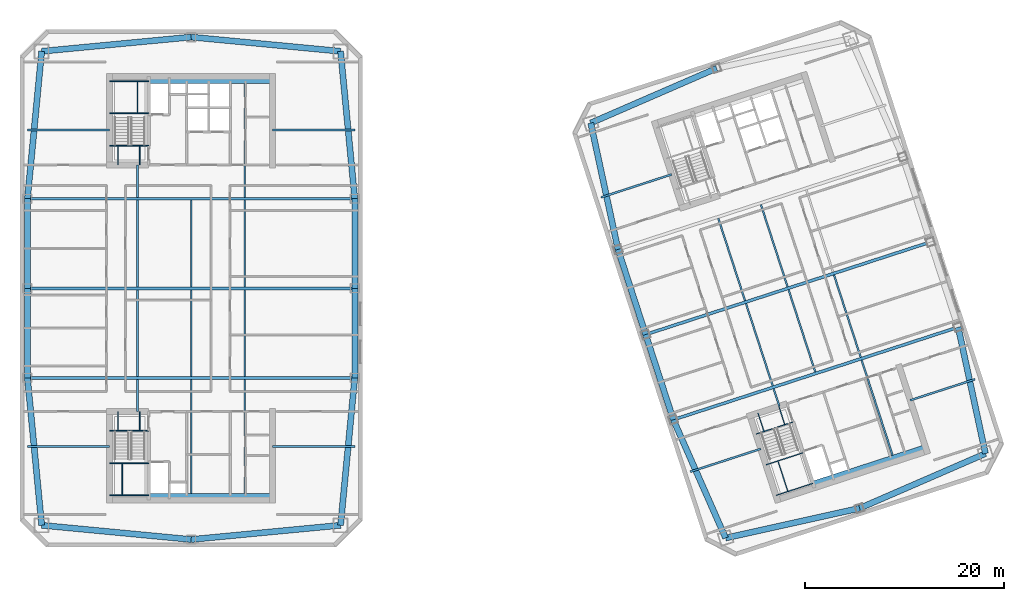
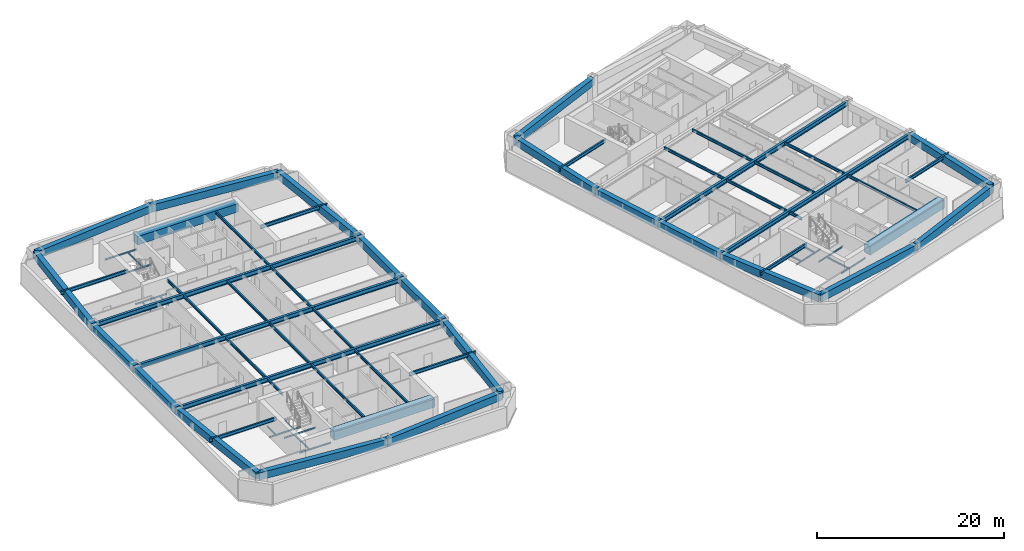
# One storey, part 3 of 13: 71 beams.
"""IFC4 building model written with IfcOpenShell, lengths in metres."""

from ifc_helpers import new_model, si_unit, direction, frame, origin, origin_2d, place, context, subcontext, project, spatial, rectangle, i_section, extrude, material, material_profile, profile_set, type_object, element, save


model = new_model("IFC4")

# Units and contexts
model_context = context("Model", 3, precision=1e-05, world=origin(), true_north=direction((0.0, 1.0)))
body_context = subcontext(model_context, "Body", "Model", "MODEL_VIEW")
ifc_project = project(units=[si_unit("LENGTHUNIT", "METRE"), si_unit("AREAUNIT", "SQUARE_METRE"), si_unit("VOLUMEUNIT", "CUBIC_METRE"), si_unit("PLANEANGLEUNIT", "RADIAN"), si_unit("MASSUNIT", "GRAM", prefix="KILO")], contexts=[model_context])

# Site, building, storey
site_placement = place(None, origin())
site = spatial("IfcSite", under=ifc_project, at=site_placement, CompositionType="ELEMENT")
building_placement = place(site_placement, origin())
building = spatial("IfcBuilding", under=site, at=building_placement, Name="Qiaolan Cultural Towers", CompositionType="ELEMENT")
storey_placement = place(building_placement, frame((0.0, 0.0, 170.199951171875)))
storey = spatial("IfcBuildingStorey", under=building, at=storey_placement, Name="L45", CompositionType="ELEMENT", Elevation=170.199951171875)

# Beams
ifc_material_1 = material(Name="Steel Q355B", Category="steel")
ifc_material_profile_1 = material_profile(ifc_material_1, i_section(OverallWidth=0.300048828125, OverallDepth=0.587890625, WebThickness=0.011962890625, FlangeThickness=0.02001953125, at=origin_2d()), Name="HM588x300x12x20")
ifc_profile_set_1 = profile_set([ifc_material_profile_1], Name="Steel Q355B")
beam_type_1 = type_object("IfcBeamType", Name="BM-HM588x300x12x20", PredefinedType="BEAM", material=ifc_profile_set_1)
for number, where, z_axis, x_axis, name in (
    (1, (13.550048828125, 25.0, 2.89599609375), (1.0, 0.0, 0.0), (0.0, 1.0, 0.0), "L45 T1 Primary Transverse Girder V1"),
    (2, (13.550048828125, 34.0, 2.89599609375), (1.0, 0.0, 0.0), (0.0, 1.0, 0.0), "L45 T1 Primary Transverse Girder V2"),
    (3, (13.550048828125, 43.0, 2.89599609375), (1.0, 0.0, 0.0), (0.0, 1.0, 0.0), "L45 T1 Primary Transverse Girder V3"),
):
    element("IfcBeam", number, at=place(storey_placement, frame(where, z_axis=z_axis, x_axis=x_axis)), inside=storey, type_object=beam_type_1, Name=name, PredefinedType="BEAM", context=body_context, shape_type="SweptSolid", body=[
        extrude(i_section(OverallWidth=0.300048828125, OverallDepth=0.587890625, WebThickness=0.011962890625, FlangeThickness=0.02001953125, at=origin_2d()), origin(), (0.0, 0.0, 1.0), 32.89990234375),
    ])
beam_1_placement = place(storey_placement, frame((78.4677734375, 20.789794921875, 2.89599609375), z_axis=(0.951055226628, 0.309020963535, 0.0), x_axis=(-0.309020963535, 0.951055226628, 0.0)))
element("IfcBeam", 4, at=beam_1_placement, inside=storey, type_object=beam_type_1, Name="L45 T2 Primary Transverse Girder V1", PredefinedType="BEAM", context=body_context, shape_type="SweptSolid", body=[
    extrude(i_section(OverallWidth=0.300048828125, OverallDepth=0.587890625, WebThickness=0.011962890625, FlangeThickness=0.02001953125, at=origin_2d()), origin(), (0.0, 0.0, 1.0), 30.099853515625),
])
beam_2_placement = place(storey_placement, frame((75.6865234375, 29.349365234375, 2.89599609375), z_axis=(0.951058384903, 0.309011243331, 0.0), x_axis=(-0.309011243331, 0.951058384903, 0.0)))
element("IfcBeam", 5, at=beam_2_placement, inside=storey, type_object=beam_type_1, Name="L45 T2 Primary Transverse Girder V2", PredefinedType="BEAM", context=body_context, shape_type="SweptSolid", body=[
    extrude(i_section(OverallWidth=0.300048828125, OverallDepth=0.587890625, WebThickness=0.011962890625, FlangeThickness=0.02001953125, at=origin_2d()), origin(), (0.0, 0.0, 1.0), 30.10009765625),
])
ifc_material_2 = material(Name="Steel Q355B", Category="steel")
ifc_material_profile_2 = material_profile(ifc_material_2, i_section(OverallWidth=0.175048828125, OverallDepth=0.35009765625, WebThickness=0.007080078125, FlangeThickness=0.010986328125, at=origin_2d()), Name="HN350x175x7x11")
ifc_profile_set_2 = profile_set([ifc_material_profile_2], Name="Steel Q355B")
beam_type_2 = type_object("IfcBeamType", Name="BM-JST-HN350x175x7x11", PredefinedType="JOIST", material=ifc_profile_set_2)
beam_3_placement = place(storey_placement, frame((24.60009765625, 21.60009765625, 3.01513671875), z_axis=(0.0, 1.0, 0.0), x_axis=(-1.0, 0.0, 0.0)))
element("IfcBeam", 6, at=beam_3_placement, inside=storey, type_object=beam_type_2, Name="L45 T1 Secondary Floor Joist U1-1", PredefinedType="JOIST", context=body_context, shape_type="SweptSolid", body=[
    extrude(i_section(OverallWidth=0.175048828125, OverallDepth=0.35009765625, WebThickness=0.007080078125, FlangeThickness=0.010986328125, at=origin_2d()), origin(), (0.0, 0.0, 1.0), 3.25),
])
for number, where, z_axis, x_axis, name in (
    (7, (24.60009765625, 25.14990234375, 3.01513671875), (0.0, 1.0, 0.0), (-1.0, 0.0, 0.0), "L45 T1 Secondary Floor Joist U1-2"),
    (8, (24.60009765625, 34.14990234375, 3.01513671875), (0.0, 1.0, 0.0), (-1.0, 0.0, 0.0), "L45 T1 Secondary Floor Joist U1-3"),
):
    element("IfcBeam", number, at=place(storey_placement, frame(where, z_axis=z_axis, x_axis=x_axis)), inside=storey, type_object=beam_type_2, Name=name, PredefinedType="JOIST", context=body_context, shape_type="SweptSolid", body=[
        extrude(i_section(OverallWidth=0.175048828125, OverallDepth=0.35009765625, WebThickness=0.007080078125, FlangeThickness=0.010986328125, at=origin_2d()), origin(), (0.0, 0.0, 1.0), 8.7001953125),
    ])
beam_4_placement = place(storey_placement, frame((24.60009765625, 43.14990234375, 3.01513671875), z_axis=(0.0, 1.0, 0.0), x_axis=(-1.0, 0.0, 0.0)))
element("IfcBeam", 9, at=beam_4_placement, inside=storey, type_object=beam_type_2, Name="L45 T1 Secondary Floor Joist U1-4", PredefinedType="JOIST", context=body_context, shape_type="SweptSolid", body=[
    extrude(i_section(OverallWidth=0.175048828125, OverallDepth=0.35009765625, WebThickness=0.007080078125, FlangeThickness=0.010986328125, at=origin_2d()), origin(), (0.0, 0.0, 1.0), 3.25),
])
beam_5_placement = place(storey_placement, frame((30.0, 13.39990234375, 3.01513671875), z_axis=(0.0, 1.0, 0.0), x_axis=(-1.0, 0.0, 0.0)))
element("IfcBeam", 10, at=beam_5_placement, inside=storey, type_object=beam_type_2, Name="L45 T1 Secondary Floor Joist U2-1", PredefinedType="JOIST", context=body_context, shape_type="SweptSolid", body=[
    extrude(i_section(OverallWidth=0.175048828125, OverallDepth=0.35009765625, WebThickness=0.007080078125, FlangeThickness=0.010986328125, at=origin_2d()), origin(), (0.0, 0.0, 1.0), 11.4501953125),
])
for number, where, z_axis, x_axis, name in (
    (11, (30.0, 25.14990234375, 3.01513671875), (0.0, 1.0, 0.0), (-1.0, 0.0, 0.0), "L45 T1 Secondary Floor Joist U2-2"),
    (12, (30.0, 34.14990234375, 3.01513671875), (0.0, 1.0, 0.0), (-1.0, 0.0, 0.0), "L45 T1 Secondary Floor Joist U2-3"),
):
    element("IfcBeam", number, at=place(storey_placement, frame(where, z_axis=z_axis, x_axis=x_axis)), inside=storey, type_object=beam_type_2, Name=name, PredefinedType="JOIST", context=body_context, shape_type="SweptSolid", body=[
        extrude(i_section(OverallWidth=0.175048828125, OverallDepth=0.35009765625, WebThickness=0.007080078125, FlangeThickness=0.010986328125, at=origin_2d()), origin(), (0.0, 0.0, 1.0), 8.7001953125),
    ])
beam_6_placement = place(storey_placement, frame((35.39990234375, 13.39990234375, 3.01513671875), z_axis=(0.0, 1.0, 0.0), x_axis=(-1.0, 0.0, 0.0)))
element("IfcBeam", 13, at=beam_6_placement, inside=storey, type_object=beam_type_2, Name="L45 T1 Secondary Floor Joist U3-1", PredefinedType="JOIST", context=body_context, shape_type="SweptSolid", body=[
    extrude(i_section(OverallWidth=0.175048828125, OverallDepth=0.35009765625, WebThickness=0.007080078125, FlangeThickness=0.010986328125, at=origin_2d()), origin(), (0.0, 0.0, 1.0), 11.4501953125),
])
for number, where, z_axis, x_axis, name in (
    (14, (35.39990234375, 25.14990234375, 3.01513671875), (0.0, 1.0, 0.0), (-1.0, 0.0, 0.0), "L45 T1 Secondary Floor Joist U3-2"),
    (15, (35.39990234375, 34.14990234375, 3.01513671875), (0.0, 1.0, 0.0), (-1.0, 0.0, 0.0), "L45 T1 Secondary Floor Joist U3-3"),
):
    element("IfcBeam", number, at=place(storey_placement, frame(where, z_axis=z_axis, x_axis=x_axis)), inside=storey, type_object=beam_type_2, Name=name, PredefinedType="JOIST", context=body_context, shape_type="SweptSolid", body=[
        extrude(i_section(OverallWidth=0.175048828125, OverallDepth=0.35009765625, WebThickness=0.007080078125, FlangeThickness=0.010986328125, at=origin_2d()), origin(), (0.0, 0.0, 1.0), 8.7001953125),
    ])
beam_7_placement = place(storey_placement, frame((35.39990234375, 43.14990234375, 3.01513671875), z_axis=(0.0, 1.0, 0.0), x_axis=(-1.0, 0.0, 0.0)))
element("IfcBeam", 16, at=beam_7_placement, inside=storey, type_object=beam_type_2, Name="L45 T1 Secondary Floor Joist U3-4", PredefinedType="JOIST", context=body_context, shape_type="SweptSolid", body=[
    extrude(i_section(OverallWidth=0.175048828125, OverallDepth=0.35009765625, WebThickness=0.007080078125, FlangeThickness=0.010986328125, at=origin_2d()), origin(), (0.0, 0.0, 1.0), 11.4501953125),
])
beam_8_placement = place(storey_placement, frame((89.119384765625, 22.147705078125, 3.01513671875), z_axis=(-0.308933885266, 0.951083516067, 0.0), x_axis=(-0.951083516067, -0.308933885266, 0.0)))
element("IfcBeam", 17, at=beam_8_placement, inside=storey, type_object=beam_type_2, Name="L45 T2 Secondary Floor Joist U1-1", PredefinedType="JOIST", context=body_context, shape_type="SweptSolid", body=[
    extrude(i_section(OverallWidth=0.175048828125, OverallDepth=0.35009765625, WebThickness=0.007080078125, FlangeThickness=0.010986328125, at=origin_2d()), origin(), (0.0, 0.0, 1.0), 1.85009765625),
])
for number, where, z_axis, x_axis, name in (
    (18, (88.455078125, 24.192626953125, 3.01513671875), (-0.309020714809, 0.951055307445, 0.0), (-0.951055307445, -0.309020714809, 0.0), "L45 T2 Secondary Floor Joist U1-2"),
    (19, (85.673828125, 32.752197265625, 3.01513671875), (-0.309020714809, 0.951055307445, 0.0), (-0.951055307445, -0.309020714809, 0.0), "L45 T2 Secondary Floor Joist U1-3"),
    (20, (92.73486328125, 25.583251953125, 3.01513671875), (-0.309020714809, 0.951055307445, 0.0), (-0.951055307445, -0.309020714809, 0.0), "L45 T2 Secondary Floor Joist U2-2"),
    (21, (89.95361328125, 34.142578125, 3.01513671875), (-0.309020714809, 0.951055307445, 0.0), (-0.951055307445, -0.309020714809, 0.0), "L45 T2 Secondary Floor Joist U2-3"),
):
    element("IfcBeam", number, at=place(storey_placement, frame(where, z_axis=z_axis, x_axis=x_axis)), inside=storey, type_object=beam_type_2, Name=name, PredefinedType="JOIST", context=body_context, shape_type="SweptSolid", body=[
        extrude(i_section(OverallWidth=0.175048828125, OverallDepth=0.35009765625, WebThickness=0.007080078125, FlangeThickness=0.010986328125, at=origin_2d()), origin(), (0.0, 0.0, 1.0), 8.699951171875),
    ])
beam_9_placement = place(storey_placement, frame((100.498291015625, 17.222900390625, 3.01513671875), z_axis=(-0.309025649293, 0.951053704098, 0.0), x_axis=(-0.951053704098, -0.309025649293, 0.0)))
element("IfcBeam", 22, at=beam_9_placement, inside=storey, type_object=beam_type_2, Name="L45 T2 Secondary Floor Joist U3-1", PredefinedType="JOIST", context=body_context, shape_type="SweptSolid", body=[
    extrude(i_section(OverallWidth=0.175048828125, OverallDepth=0.35009765625, WebThickness=0.007080078125, FlangeThickness=0.010986328125, at=origin_2d()), origin(), (0.0, 0.0, 1.0), 10.050048828125),
])
beam_10_placement = place(storey_placement, frame((97.2998046875, 27.06640625, 3.01513671875), z_axis=(-0.309020714809, 0.951055307445, 0.0), x_axis=(-0.951055307445, -0.309020714809, 0.0)))
element("IfcBeam", 23, at=beam_10_placement, inside=storey, type_object=beam_type_2, Name="L45 T2 Secondary Floor Joist U3-2", PredefinedType="JOIST", context=body_context, shape_type="SweptSolid", body=[
    extrude(i_section(OverallWidth=0.175048828125, OverallDepth=0.35009765625, WebThickness=0.007080078125, FlangeThickness=0.010986328125, at=origin_2d()), origin(), (0.0, 0.0, 1.0), 8.699951171875),
])
ifc_material_3 = material(Name="Steel Q355B", Category="steel")
ifc_material_profile_3 = material_profile(ifc_material_3, i_section(OverallWidth=0.199951171875, OverallDepth=0.449951171875, WebThickness=0.009033203125, FlangeThickness=0.013916015625, at=origin_2d()), Name="HN450x200x9x14")
ifc_profile_set_3 = profile_set([ifc_material_profile_3], Name="Steel Q355B")
beam_type_3 = type_object("IfcBeamType", Name="BM-LNT-HN450x200x9x14", PredefinedType="LINTEL", material=ifc_profile_set_3)
for number, where, z_axis, x_axis, name in (
    (24, (21.800048828125, 18.10009765625, 2.965087890625), (-1.0, 0.0, 0.0), (0.0, -1.0, 0.0), "L45 T1 Core Flank Tie Lintel WS"),
    (25, (21.800048828125, 49.89990234375, 2.965087890625), (-1.0, 0.0, 0.0), (0.0, -1.0, 0.0), "L45 T1 Core Flank Tie Lintel WN"),
    (26, (38.199951171875, 18.10009765625, 2.965087890625), (1.0, 0.0, 0.0), (0.0, 1.0, 0.0), "L45 T1 Core Flank Tie Lintel ES"),
    (27, (38.199951171875, 49.89990234375, 2.965087890625), (1.0, 0.0, 0.0), (0.0, 1.0, 0.0), "L45 T1 Core Flank Tie Lintel EN"),
):
    element("IfcBeam", number, at=place(storey_placement, frame(where, z_axis=z_axis, x_axis=x_axis)), inside=storey, type_object=beam_type_3, Name=name, PredefinedType="LINTEL", context=body_context, shape_type="SweptSolid", body=[
        extrude(i_section(OverallWidth=0.199951171875, OverallDepth=0.449951171875, WebThickness=0.009033203125, FlangeThickness=0.013916015625, at=origin_2d()), origin(), (0.0, 0.0, 1.0), 8.25),
    ])
beam_11_placement = place(storey_placement, frame((87.252685546875, 17.861083984375, 2.965087890625), z_axis=(-0.951064407856, -0.308992705592, 0.0), x_axis=(0.308992705592, -0.951064407856, 0.0)))
element("IfcBeam", 28, at=beam_11_placement, inside=storey, type_object=beam_type_3, Name="L45 T2 Core Flank Tie Lintel WS", PredefinedType="LINTEL", context=body_context, shape_type="SweptSolid", body=[
    extrude(i_section(OverallWidth=0.199951171875, OverallDepth=0.449951171875, WebThickness=0.009033203125, FlangeThickness=0.013916015625, at=origin_2d()), origin(), (0.0, 0.0, 1.0), 7.449951171875),
])
beam_12_placement = place(storey_placement, frame((78.291259765625, 45.44189453125, 2.965087890625), z_axis=(-0.951054777171, -0.309022346796, 0.0), x_axis=(0.309022346796, -0.951054777171, 0.0)))
element("IfcBeam", 29, at=beam_12_placement, inside=storey, type_object=beam_type_3, Name="L45 T2 Core Flank Tie Lintel WN", PredefinedType="LINTEL", context=body_context, shape_type="SweptSolid", body=[
    extrude(i_section(OverallWidth=0.199951171875, OverallDepth=0.449951171875, WebThickness=0.009033203125, FlangeThickness=0.013916015625, at=origin_2d()), origin(), (0.0, 0.0, 1.0), 7.4501953125),
])
beam_13_placement = place(storey_placement, frame((102.279296875, 22.74365234375, 2.965087890625), z_axis=(0.951061565824, 0.30900145309, 0.0), x_axis=(-0.30900145309, 0.951061565824, 0.0)))
element("IfcBeam", 30, at=beam_13_placement, inside=storey, type_object=beam_type_3, Name="L45 T2 Core Flank Tie Lintel ES", PredefinedType="LINTEL", context=body_context, shape_type="SweptSolid", body=[
    extrude(i_section(OverallWidth=0.199951171875, OverallDepth=0.449951171875, WebThickness=0.009033203125, FlangeThickness=0.013916015625, at=origin_2d()), origin(), (0.0, 0.0, 1.0), 6.85009765625),
])
ifc_material_4 = material(Name="Concrete C50", Category="concrete")
ifc_material_profile_4 = material_profile(ifc_material_4, rectangle(XDim=0.89990234375, YDim=1.10009765625, at=origin_2d()), Name="RC900x1100")
ifc_profile_set_4 = profile_set([ifc_material_profile_4], Name="Concrete C50")
beam_type_4 = type_object("IfcBeamType", Name="BM-RC900x1100", PredefinedType="BEAM", material=ifc_profile_set_4)
for number, where, z_axis, x_axis, name in (
    (31, (25.719970703125, 12.949951171875, 2.64013671875), (1.0, 0.0, 0.0), (0.0, 1.0, 0.0), "L45 T1 Core Header Girder S"),
    (32, (25.719970703125, 55.050048828125, 2.64013671875), (1.0, 0.0, 0.0), (0.0, 1.0, 0.0), "L45 T1 Core Header Girder N"),
):
    element("IfcBeam", number, at=place(storey_placement, frame(where, z_axis=z_axis, x_axis=x_axis)), inside=storey, type_object=beam_type_4, Name=name, PredefinedType="BEAM", context=body_context, shape_type="SweptSolid", body=[
        extrude(rectangle(XDim=0.89990234375, YDim=1.10009765625, at=origin_2d()), origin(), (0.0, 0.0, 1.0), 12.47998046875),
    ])
beam_14_placement = place(storey_placement, frame((92.572265625, 14.174560546875, 2.64013671875), z_axis=(0.951056266386, 0.309017763514, 0.0), x_axis=(-0.309017763514, 0.951056266386, 0.0)))
element("IfcBeam", 33, at=beam_14_placement, inside=storey, type_object=beam_type_4, Name="L45 T2 Core Header Girder S", PredefinedType="BEAM", context=body_context, shape_type="SweptSolid", body=[
    extrude(rectangle(XDim=0.89990234375, YDim=1.10009765625, at=origin_2d()), origin(), (0.0, 0.0, 1.0), 11.880126953125),
])
ifc_material_5 = material(Name="Concrete C50", Category="concrete")
ifc_material_profile_5 = material_profile(ifc_material_5, rectangle(XDim=0.60009765625, YDim=0.949951171875, at=origin_2d()), Name="RC600x950")
ifc_profile_set_5 = profile_set([ifc_material_profile_5], Name="Concrete C50")
beam_type_5 = type_object("IfcBeamType", Name="BM-SPD-RC600x950", PredefinedType="SPANDREL", material=ifc_profile_set_5)
for number, where, z_axis, x_axis, name in (
    (34, (14.97998046875, 10.179931640625, 2.715087890625), (0.995498889995, -0.094773203061, 0.0), (0.094773203061, 0.995498889995, 0.0), "L45 T1 Perimeter Spandrel Beam 1"),
    (35, (30.0, 8.75, 2.715087890625), (0.995498889995, 0.094773203061, 0.0), (-0.094773203061, 0.995498889995, 0.0), "L45 T1 Perimeter Spandrel Beam 2"),
):
    element("IfcBeam", number, at=place(storey_placement, frame(where, z_axis=z_axis, x_axis=x_axis)), inside=storey, type_object=beam_type_5, Name=name, PredefinedType="SPANDREL", context=body_context, shape_type="SweptSolid", body=[
        extrude(rectangle(XDim=0.60009765625, YDim=0.949951171875, at=origin_2d()), origin(), (0.0, 0.0, 1.0), 15.087890625),
    ])
beam_15_placement = place(storey_placement, frame((45.02001953125, 10.179931640625, 2.715087890625), z_axis=(0.096040159186, 0.995377459974, 0.0), x_axis=(-0.995377459974, 0.096040159186, 0.0)))
element("IfcBeam", 36, at=beam_15_placement, inside=storey, type_object=beam_type_5, Name="L45 T1 Perimeter Spandrel Beam 3", PredefinedType="SPANDREL", context=body_context, shape_type="SweptSolid", body=[
    extrude(rectangle(XDim=0.60009765625, YDim=0.949951171875, at=origin_2d()), origin(), (0.0, 0.0, 1.0), 14.888916015625),
])
for number, where, z_axis, x_axis, name in (
    (37, (46.449951171875, 25.0, 2.715087890625), (0.0, 1.0, 0.0), (-1.0, 0.0, 0.0), "L45 T1 Perimeter Spandrel Beam 4"),
    (38, (46.449951171875, 34.0, 2.715087890625), (0.0, 1.0, 0.0), (-1.0, 0.0, 0.0), "L45 T1 Perimeter Spandrel Beam 5"),
):
    element("IfcBeam", number, at=place(storey_placement, frame(where, z_axis=z_axis, x_axis=x_axis)), inside=storey, type_object=beam_type_5, Name=name, PredefinedType="SPANDREL", context=body_context, shape_type="SweptSolid", body=[
        extrude(rectangle(XDim=0.60009765625, YDim=0.949951171875, at=origin_2d()), origin(), (0.0, 0.0, 1.0), 9.0),
    ])
beam_16_placement = place(storey_placement, frame((46.449951171875, 43.0, 2.715087890625), z_axis=(-0.096040159186, 0.995377459974, 0.0), x_axis=(-0.995377459974, -0.096040159186, 0.0)))
element("IfcBeam", 39, at=beam_16_placement, inside=storey, type_object=beam_type_5, Name="L45 T1 Perimeter Spandrel Beam 6", PredefinedType="SPANDREL", context=body_context, shape_type="SweptSolid", body=[
    extrude(rectangle(XDim=0.60009765625, YDim=0.949951171875, at=origin_2d()), origin(), (0.0, 0.0, 1.0), 14.888916015625),
])
for number, where, z_axis, x_axis, name in (
    (40, (45.02001953125, 57.820068359375, 2.715087890625), (-0.995498889995, 0.094773203061, 0.0), (-0.094773203061, -0.995498889995, 0.0), "L45 T1 Perimeter Spandrel Beam 7"),
    (41, (30.0, 59.25, 2.715087890625), (-0.995498889995, -0.094773203061, 0.0), (0.094773203061, -0.995498889995, 0.0), "L45 T1 Perimeter Spandrel Beam 8"),
):
    element("IfcBeam", number, at=place(storey_placement, frame(where, z_axis=z_axis, x_axis=x_axis)), inside=storey, type_object=beam_type_5, Name=name, PredefinedType="SPANDREL", context=body_context, shape_type="SweptSolid", body=[
        extrude(rectangle(XDim=0.60009765625, YDim=0.949951171875, at=origin_2d()), origin(), (0.0, 0.0, 1.0), 15.087890625),
    ])
beam_17_placement = place(storey_placement, frame((14.97998046875, 57.820068359375, 2.715087890625), z_axis=(-0.096040159186, -0.995377459974, 0.0), x_axis=(0.995377459974, -0.096040159186, 0.0)))
element("IfcBeam", 42, at=beam_17_placement, inside=storey, type_object=beam_type_5, Name="L45 T1 Perimeter Spandrel Beam 9", PredefinedType="SPANDREL", context=body_context, shape_type="SweptSolid", body=[
    extrude(rectangle(XDim=0.60009765625, YDim=0.949951171875, at=origin_2d()), origin(), (0.0, 0.0, 1.0), 14.888916015625),
])
for number, where, z_axis, x_axis, name in (
    (43, (13.550048828125, 43.0, 2.715087890625), (0.0, -1.0, 0.0), (1.0, 0.0, 0.0), "L45 T1 Perimeter Spandrel Beam 10"),
    (44, (13.550048828125, 34.0, 2.715087890625), (0.0, -1.0, 0.0), (1.0, 0.0, 0.0), "L45 T1 Perimeter Spandrel Beam 11"),
):
    element("IfcBeam", number, at=place(storey_placement, frame(where, z_axis=z_axis, x_axis=x_axis)), inside=storey, type_object=beam_type_5, Name=name, PredefinedType="SPANDREL", context=body_context, shape_type="SweptSolid", body=[
        extrude(rectangle(XDim=0.60009765625, YDim=0.949951171875, at=origin_2d()), origin(), (0.0, 0.0, 1.0), 9.0),
    ])
beam_18_placement = place(storey_placement, frame((13.550048828125, 25.0, 2.715087890625), z_axis=(0.096040159186, -0.995377459974, 0.0), x_axis=(0.995377459974, 0.096040159186, 0.0)))
element("IfcBeam", 45, at=beam_18_placement, inside=storey, type_object=beam_type_5, Name="L45 T1 Perimeter Spandrel Beam 12", PredefinedType="SPANDREL", context=body_context, shape_type="SweptSolid", body=[
    extrude(rectangle(XDim=0.60009765625, YDim=0.949951171875, at=origin_2d()), origin(), (0.0, 0.0, 1.0), 14.888916015625),
])
beam_19_placement = place(storey_placement, frame((83.71875, 8.900634765625, 2.715087890625), z_axis=(0.976265293399, 0.216578108094, 0.0), x_axis=(-0.216578108094, 0.976265293399, 0.0)))
element("IfcBeam", 46, at=beam_19_placement, inside=storey, type_object=beam_type_5, Name="L45 T2 Perimeter Spandrel Beam 1", PredefinedType="SPANDREL", context=body_context, shape_type="SweptSolid", body=[
    extrude(rectangle(XDim=0.60009765625, YDim=0.949951171875, at=origin_2d()), origin(), (0.0, 0.0, 1.0), 13.793212890625),
])
beam_20_placement = place(storey_placement, frame((97.1845703125, 11.887939453125, 2.715087890625), z_axis=(0.917117043091, 0.398618024268, 0.0), x_axis=(-0.398618024268, 0.917117043091, 0.0)))
element("IfcBeam", 47, at=beam_20_placement, inside=storey, type_object=beam_type_5, Name="L45 T2 Perimeter Spandrel Beam 2", PredefinedType="SPANDREL", context=body_context, shape_type="SweptSolid", body=[
    extrude(rectangle(XDim=0.60009765625, YDim=0.949951171875, at=origin_2d()), origin(), (0.0, 0.0, 1.0), 13.79345703125),
])
beam_21_placement = place(storey_placement, frame((109.834716796875, 17.38623046875, 2.715087890625), z_axis=(-0.210832241173, 0.977522258612, 0.0), x_axis=(-0.977522258612, -0.210832241173, 0.0)))
element("IfcBeam", 48, at=beam_21_placement, inside=storey, type_object=beam_type_5, Name="L45 T2 Perimeter Spandrel Beam 3", PredefinedType="SPANDREL", context=body_context, shape_type="SweptSolid", body=[
    extrude(rectangle(XDim=0.60009765625, YDim=0.949951171875, at=origin_2d()), origin(), (0.0, 0.0, 1.0), 12.997314453125),
])
beam_22_placement = place(storey_placement, frame((82.8154296875, 56.112060546875, 2.715087890625), z_axis=(-0.917117043091, -0.398618024268, 0.0), x_axis=(0.398618024268, -0.917117043091, 0.0)))
element("IfcBeam", 49, at=beam_22_placement, inside=storey, type_object=beam_type_5, Name="L45 T2 Perimeter Spandrel Beam 8", PredefinedType="SPANDREL", context=body_context, shape_type="SweptSolid", body=[
    extrude(rectangle(XDim=0.60009765625, YDim=0.949951171875, at=origin_2d()), origin(), (0.0, 0.0, 1.0), 13.79345703125),
])
beam_23_placement = place(storey_placement, frame((70.165283203125, 50.61376953125, 2.715087890625), z_axis=(0.210832241173, -0.977522258612, 0.0), x_axis=(0.977522258612, 0.210832241173, 0.0)))
element("IfcBeam", 50, at=beam_23_placement, inside=storey, type_object=beam_type_5, Name="L45 T2 Perimeter Spandrel Beam 9", PredefinedType="SPANDREL", context=body_context, shape_type="SweptSolid", body=[
    extrude(rectangle(XDim=0.60009765625, YDim=0.949951171875, at=origin_2d()), origin(), (0.0, 0.0, 1.0), 12.997314453125),
])
beam_24_placement = place(storey_placement, frame((72.905517578125, 37.90869140625, 2.715087890625), z_axis=(0.309008170129, -0.951059383421, 0.0), x_axis=(0.951059383421, 0.309008170129, 0.0)))
element("IfcBeam", 51, at=beam_24_placement, inside=storey, type_object=beam_type_5, Name="L45 T2 Perimeter Spandrel Beam 10", PredefinedType="SPANDREL", context=body_context, shape_type="SweptSolid", body=[
    extrude(rectangle(XDim=0.60009765625, YDim=0.949951171875, at=origin_2d()), origin(), (0.0, 0.0, 1.0), 8.999755859375),
])
beam_25_placement = place(storey_placement, frame((75.6865234375, 29.349365234375, 2.715087890625), z_axis=(0.309024734286, -0.951054001411, 0.0), x_axis=(0.951054001411, 0.309024734286, 0.0)))
element("IfcBeam", 52, at=beam_25_placement, inside=storey, type_object=beam_type_5, Name="L45 T2 Perimeter Spandrel Beam 11", PredefinedType="SPANDREL", context=body_context, shape_type="SweptSolid", body=[
    extrude(rectangle(XDim=0.60009765625, YDim=0.949951171875, at=origin_2d()), origin(), (0.0, 0.0, 1.0), 9.0),
])
beam_26_placement = place(storey_placement, frame((78.4677734375, 20.789794921875, 2.715087890625), z_axis=(0.404011070002, -0.914754095545, 0.0), x_axis=(0.914754095545, 0.404011070002, 0.0)))
element("IfcBeam", 53, at=beam_26_placement, inside=storey, type_object=beam_type_5, Name="L45 T2 Perimeter Spandrel Beam 12", PredefinedType="SPANDREL", context=body_context, shape_type="SweptSolid", body=[
    extrude(rectangle(XDim=0.60009765625, YDim=0.949951171875, at=origin_2d()), origin(), (0.0, 0.0, 1.0), 12.9970703125),
])
ifc_material_6 = material(Name="Steel Q355B", Category="steel")
ifc_material_profile_6 = material_profile(ifc_material_6, i_section(OverallWidth=0.10009765625, OverallDepth=0.199951171875, WebThickness=0.005615234375, FlangeThickness=0.008056640625, at=origin_2d()), Name="HN200x100x5.5x8")
ifc_profile_set_6 = profile_set([ifc_material_profile_6], Name="Steel Q355B")
beam_type_6 = type_object("IfcBeamType", Name="BM-STTRIM-200", PredefinedType="BEAM", material=ifc_profile_set_6)
beam_27_placement = place(storey_placement, frame((21.800048828125, 19.659912109375, -0.4599609375), z_axis=(1.0, 0.0, 0.0), x_axis=(0.0, 1.0, 0.0)))
element("IfcBeam", 54, at=beam_27_placement, inside=storey, type_object=beam_type_6, Name="L45 ST-W1 Floor Landing Header Beam", PredefinedType="BEAM", context=body_context, shape_type="SweptSolid", body=[
    extrude(i_section(OverallWidth=0.10009765625, OverallDepth=0.199951171875, WebThickness=0.005615234375, FlangeThickness=0.008056640625, at=origin_2d()), origin(), (0.0, 0.0, 1.0), 3.919921875),
])
for number, where, z_axis, x_axis, name in (
    (55, (22.64990234375, 21.60009765625, -0.4599609375), (0.0, -1.0, 0.0), (1.0, 0.0, 0.0), "L45 ST-W1 Floor Landing Stringer 1"),
    (56, (24.85009765625, 21.60009765625, -0.4599609375), (0.0, -1.0, 0.0), (1.0, 0.0, 0.0), "L45 ST-W1 Floor Landing Stringer 2"),
):
    element("IfcBeam", number, at=place(storey_placement, frame(where, z_axis=z_axis, x_axis=x_axis)), inside=storey, type_object=beam_type_6, Name=name, PredefinedType="BEAM", context=body_context, shape_type="SweptSolid", body=[
        extrude(i_section(OverallWidth=0.10009765625, OverallDepth=0.199951171875, WebThickness=0.005615234375, FlangeThickness=0.008056640625, at=origin_2d()), origin(), (0.0, 0.0, 1.0), 1.940185546875),
    ])
for number, where, z_axis, x_axis, name in (
    (57, (21.800048828125, 16.411376953125, 1.425048828125), (1.0, 0.0, 0.0), (0.0, 1.0, 0.0), "L45 ST-W1 Stair Landing Support Beam 1-1"),
    (58, (21.800048828125, 13.179931640625, 1.425048828125), (1.0, 0.0, 0.0), (0.0, 1.0, 0.0), "L45 ST-W1 Stair Landing Support Beam 1-2"),
):
    element("IfcBeam", number, at=place(storey_placement, frame(where, z_axis=z_axis, x_axis=x_axis)), inside=storey, type_object=beam_type_6, Name=name, PredefinedType="BEAM", context=body_context, shape_type="SweptSolid", body=[
        extrude(i_section(OverallWidth=0.10009765625, OverallDepth=0.199951171875, WebThickness=0.005615234375, FlangeThickness=0.008056640625, at=origin_2d()), origin(), (0.0, 0.0, 1.0), 3.919921875),
    ])
beam_28_placement = place(storey_placement, frame((23.070068359375, 16.411376953125, 1.425048828125), z_axis=(0.0, -1.0, 0.0), x_axis=(1.0, 0.0, 0.0)))
element("IfcBeam", 59, at=beam_28_placement, inside=storey, type_object=beam_type_6, Name="L45 ST-W1 Stair Landing Trimmer 1", PredefinedType="BEAM", context=body_context, shape_type="SweptSolid", body=[
    extrude(i_section(OverallWidth=0.10009765625, OverallDepth=0.199951171875, WebThickness=0.005615234375, FlangeThickness=0.008056640625, at=origin_2d()), origin(), (0.0, 0.0, 1.0), 3.2314453125),
])
beam_29_placement = place(storey_placement, frame((21.800048828125, 48.340087890625, -0.4599609375), z_axis=(1.0, 0.0, 0.0), x_axis=(0.0, 1.0, 0.0)))
element("IfcBeam", 60, at=beam_29_placement, inside=storey, type_object=beam_type_6, Name="L45 ST-W2 Floor Landing Header Beam", PredefinedType="BEAM", context=body_context, shape_type="SweptSolid", body=[
    extrude(i_section(OverallWidth=0.10009765625, OverallDepth=0.199951171875, WebThickness=0.005615234375, FlangeThickness=0.008056640625, at=origin_2d()), origin(), (0.0, 0.0, 1.0), 3.919921875),
])
for number, where, z_axis, x_axis, name in (
    (61, (22.64990234375, 46.39990234375, -0.4599609375), (0.0, 1.0, 0.0), (-1.0, 0.0, 0.0), "L45 ST-W2 Floor Landing Stringer 1"),
    (62, (24.85009765625, 46.39990234375, -0.4599609375), (0.0, 1.0, 0.0), (-1.0, 0.0, 0.0), "L45 ST-W2 Floor Landing Stringer 2"),
):
    element("IfcBeam", number, at=place(storey_placement, frame(where, z_axis=z_axis, x_axis=x_axis)), inside=storey, type_object=beam_type_6, Name=name, PredefinedType="BEAM", context=body_context, shape_type="SweptSolid", body=[
        extrude(i_section(OverallWidth=0.10009765625, OverallDepth=0.199951171875, WebThickness=0.005615234375, FlangeThickness=0.008056640625, at=origin_2d()), origin(), (0.0, 0.0, 1.0), 1.940185546875),
    ])
for number, where, z_axis, x_axis, name in (
    (63, (21.800048828125, 51.588623046875, 1.425048828125), (1.0, 0.0, 0.0), (0.0, 1.0, 0.0), "L45 ST-W2 Stair Landing Support Beam 1-1"),
    (64, (21.800048828125, 54.820068359375, 1.425048828125), (1.0, 0.0, 0.0), (0.0, 1.0, 0.0), "L45 ST-W2 Stair Landing Support Beam 1-2"),
):
    element("IfcBeam", number, at=place(storey_placement, frame(where, z_axis=z_axis, x_axis=x_axis)), inside=storey, type_object=beam_type_6, Name=name, PredefinedType="BEAM", context=body_context, shape_type="SweptSolid", body=[
        extrude(i_section(OverallWidth=0.10009765625, OverallDepth=0.199951171875, WebThickness=0.005615234375, FlangeThickness=0.008056640625, at=origin_2d()), origin(), (0.0, 0.0, 1.0), 3.919921875),
    ])
beam_30_placement = place(storey_placement, frame((24.610107421875, 51.588623046875, 1.425048828125), z_axis=(0.0, 1.0, 0.0), x_axis=(-1.0, 0.0, 0.0)))
element("IfcBeam", 65, at=beam_30_placement, inside=storey, type_object=beam_type_6, Name="L45 ST-W2 Stair Landing Trimmer 1", PredefinedType="BEAM", context=body_context, shape_type="SweptSolid", body=[
    extrude(i_section(OverallWidth=0.10009765625, OverallDepth=0.199951171875, WebThickness=0.005615234375, FlangeThickness=0.008056640625, at=origin_2d()), origin(), (0.0, 0.0, 1.0), 3.2314453125),
])
beam_31_placement = place(storey_placement, frame((86.770751953125, 19.3447265625, -0.4599609375), z_axis=(0.951047798727, 0.309043823005, 0.0), x_axis=(-0.309043823005, 0.951047798727, 0.0)))
element("IfcBeam", 66, at=beam_31_placement, inside=storey, type_object=beam_type_6, Name="L45 ST-E1 Floor Landing Header Beam", PredefinedType="BEAM", context=body_context, shape_type="SweptSolid", body=[
    extrude(i_section(OverallWidth=0.10009765625, OverallDepth=0.199951171875, WebThickness=0.005615234375, FlangeThickness=0.008056640625, at=origin_2d()), origin(), (0.0, 0.0, 1.0), 3.919921875),
])
for number, where, z_axis, x_axis, name in (
    (67, (86.9794921875, 21.452392578125, -0.4599609375), (0.309083226701, -0.951034993558, 0.0), (0.951034993558, 0.309083226701, 0.0), "L45 ST-E1 Floor Landing Stringer 1"),
    (68, (89.07177734375, 22.13232421875, -0.4599609375), (0.309083226701, -0.951034993558, 0.0), (0.951034993558, 0.309083226701, 0.0), "L45 ST-E1 Floor Landing Stringer 2"),
):
    element("IfcBeam", number, at=place(storey_placement, frame(where, z_axis=z_axis, x_axis=x_axis)), inside=storey, type_object=beam_type_6, Name=name, PredefinedType="BEAM", context=body_context, shape_type="SweptSolid", body=[
        extrude(i_section(OverallWidth=0.10009765625, OverallDepth=0.199951171875, WebThickness=0.005615234375, FlangeThickness=0.008056640625, at=origin_2d()), origin(), (0.0, 0.0, 1.0), 1.93994140625),
    ])
for number, where, z_axis, x_axis, name in (
    (69, (87.774658203125, 16.255126953125, 1.425048828125), (0.951047798727, 0.309043823005, 0.0), (-0.309043823005, 0.951047798727, 0.0), "L45 ST-E1 Stair Landing Support Beam 1-1"),
    (70, (88.773193359375, 13.181884765625, 1.425048828125), (0.951047798727, 0.309043823005, 0.0), (-0.309043823005, 0.951047798727, 0.0), "L45 ST-E1 Stair Landing Support Beam 1-2"),
):
    element("IfcBeam", number, at=place(storey_placement, frame(where, z_axis=z_axis, x_axis=x_axis)), inside=storey, type_object=beam_type_6, Name=name, PredefinedType="BEAM", context=body_context, shape_type="SweptSolid", body=[
        extrude(i_section(OverallWidth=0.10009765625, OverallDepth=0.199951171875, WebThickness=0.005615234375, FlangeThickness=0.008056640625, at=origin_2d()), origin(), (0.0, 0.0, 1.0), 3.919921875),
    ])
beam_32_placement = place(storey_placement, frame((88.982421875, 16.6474609375, 1.425048828125), z_axis=(0.309033108495, -0.951051280349, 0.0), x_axis=(0.951051280349, 0.309033108495, 0.0)))
element("IfcBeam", 71, at=beam_32_placement, inside=storey, type_object=beam_type_6, Name="L45 ST-E1 Stair Landing Trimmer 1", PredefinedType="BEAM", context=body_context, shape_type="SweptSolid", body=[
    extrude(i_section(OverallWidth=0.10009765625, OverallDepth=0.199951171875, WebThickness=0.005615234375, FlangeThickness=0.008056640625, at=origin_2d()), origin(), (0.0, 0.0, 1.0), 3.231201171875),
])

save(model, "model.ifc")
